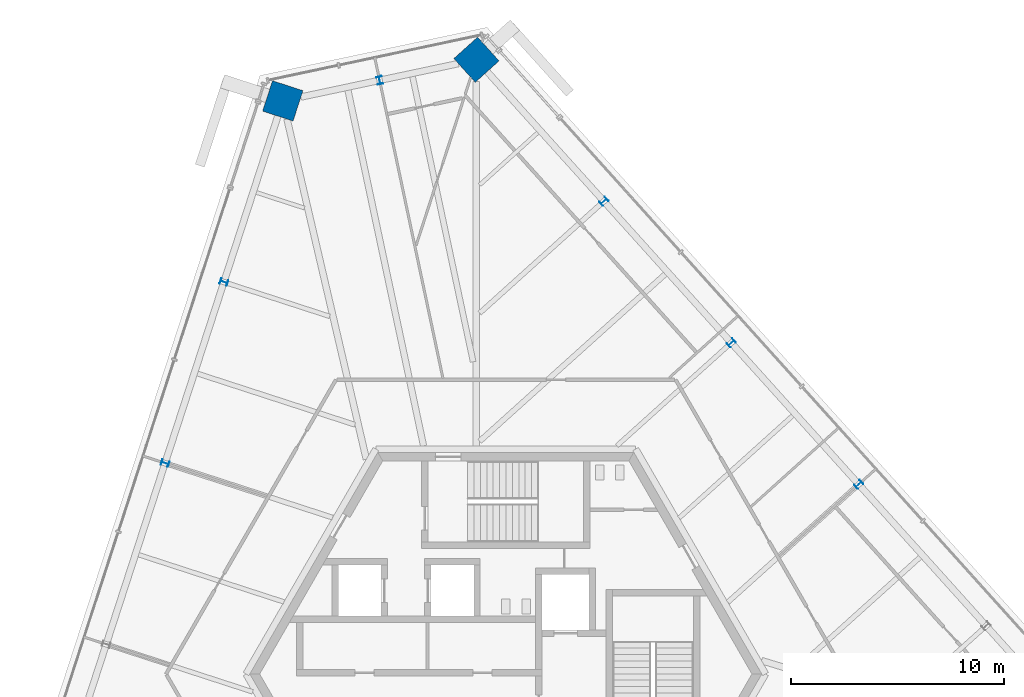
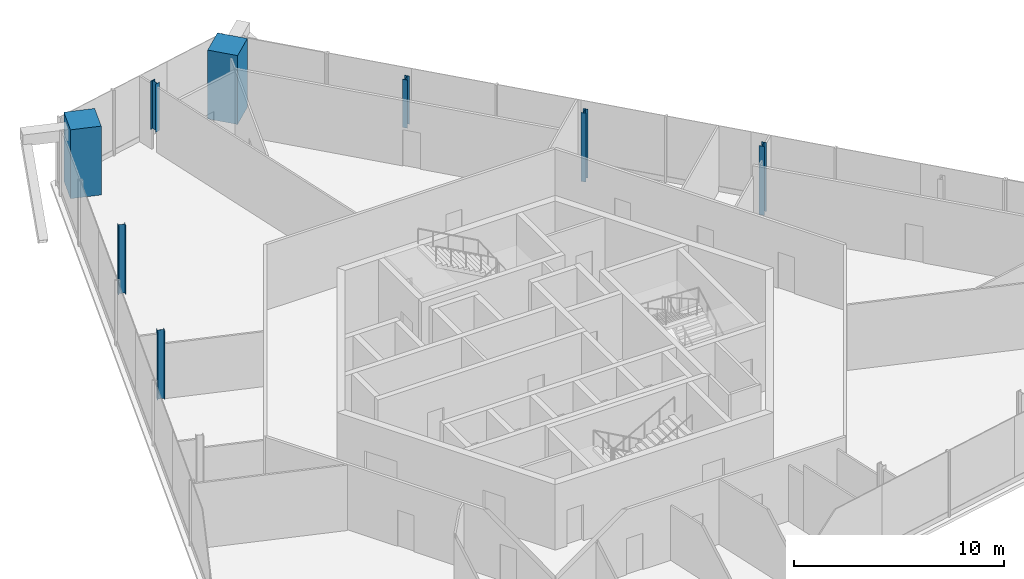
# One storey, part 3 of 16: 8 columns.
"""IFC4 building model written with IfcOpenShell, lengths in metres."""

from ifc_helpers import new_model, si_unit, direction, frame, origin, origin_2d, place, context, subcontext, project, spatial, rectangle, i_section, extrude, source, transform, mapped, material, material_profile, profile_set, type_object, element, save


model = new_model("IFC4")

# Units and contexts
model_context = context("Model", 3, precision=1e-05, world=origin(), true_north=direction((0.0, 1.0)))
body_context = subcontext(model_context, "Body", "Model", "MODEL_VIEW")
ifc_project = project(units=[si_unit("LENGTHUNIT", "METRE"), si_unit("AREAUNIT", "SQUARE_METRE"), si_unit("VOLUMEUNIT", "CUBIC_METRE"), si_unit("PLANEANGLEUNIT", "RADIAN"), si_unit("MASSUNIT", "GRAM", prefix="KILO")], contexts=[model_context])

# Site, building, storey
site_placement = place(None, origin())
site = spatial("IfcSite", under=ifc_project, at=site_placement, CompositionType="ELEMENT")
building_placement = place(site_placement, origin())
building = spatial("IfcBuilding", under=site, at=building_placement, Name="Triune Harvest Tower", CompositionType="ELEMENT")
storey_placement = place(building_placement, frame((0.0, 0.0, 292.699951171875)))
storey = spatial("IfcBuildingStorey", under=building, at=storey_placement, Name="L77", CompositionType="ELEMENT", Elevation=292.699951171875)

# Columns
ifc_material_1 = material(Name="Concrete 70 MPa", Category="concrete")
ifc_material_profile_1 = material_profile(ifc_material_1, rectangle(XDim=1.5, YDim=1.5, at=origin_2d()), Name="Composite 1500x1500")
ifc_profile_set_1 = profile_set([ifc_material_profile_1], Name="Concrete 70 MPa")
column_type_1 = type_object("IfcColumnType", Name="MC-7 Mega column Composite 1500x1500", PredefinedType="COLUMN", material=ifc_profile_set_1)
shared_shape_1 = source(origin(), body_context, "Body", "SweptSolid", [
    extrude(rectangle(XDim=1.5, YDim=1.5, at=origin_2d()), origin(), (0.0, 0.0, 1.0), 4.0),
])
for number, where, z_axis, x_axis, name in (
    (1, (-1.376708984375, 28.794921875, 0.0), (0.0, 0.0, 1.0), (-0.669130606359, 0.743144825477, 0.0), "col/L77/M5"),
    (2, (-10.4541015625, 26.865478515625, 0.0), (0.0, 0.0, 1.0), (-0.309015334468, -0.95105705563, 0.0), "col/L77/M7"),
):
    element("IfcColumn", number, at=place(storey_placement, frame(where, z_axis=z_axis, x_axis=x_axis)), inside=storey, type_object=column_type_1, Name=name, PredefinedType="COLUMN", context=body_context, shape_type="MappedRepresentation", body=[
        mapped(shared_shape_1, transform((0.0, 0.0, 0.0), scale=1.0)),
    ])
ifc_material_2 = material(Name="Steel ASTM A992 Gr 50", Category="steel")
ifc_material_profile_2 = material_profile(ifc_material_2, i_section(OverallWidth=0.256591796875, OverallDepth=0.360595703125, WebThickness=0.011474609375, FlangeThickness=0.02001953125, at=origin_2d()), Name="W14x74")
ifc_profile_set_2 = profile_set([ifc_material_profile_2], Name="Steel ASTM A992 Gr 50")
column_type_2 = type_object("IfcColumnType", Name="PC-7 Perimeter column W14x74", PredefinedType="COLUMN", material=ifc_profile_set_2)
shared_shape_2 = source(origin(), body_context, "Body", "SweptSolid", [
    extrude(i_section(OverallWidth=0.256591796875, OverallDepth=0.360595703125, WebThickness=0.011474609375, FlangeThickness=0.02001953125, at=origin_2d()), origin(), (0.0, 0.0, 1.0), 4.0),
])
for number, where, z_axis, x_axis, name in (
    (3, (16.545166015625, 8.890380859375, 0.0), (0.0, 0.0, 1.0), (-0.669130606359, 0.743144825477, 0.0), "col/L77/P2"),
    (4, (10.5712890625, 15.525146484375, 0.0), (0.0, 0.0, 1.0), (-0.669130606359, 0.743144825477, 0.0), "col/L77/P3"),
    (5, (-13.212890625, 18.37451171875, 0.0), (0.0, 0.0, 1.0), (-0.309015334468, -0.95105705563, 0.0), "col/L77/P8"),
    (6, (-15.971923828125, 9.88330078125, 0.0), (0.0, 0.0, 1.0), (-0.309015334468, -0.95105705563, 0.0), "col/L77/P9"),
):
    element("IfcColumn", number, at=place(storey_placement, frame(where, z_axis=z_axis, x_axis=x_axis)), inside=storey, type_object=column_type_2, Name=name, PredefinedType="COLUMN", context=body_context, shape_type="MappedRepresentation", body=[
        mapped(shared_shape_2, transform((0.0, 0.0, 0.0), scale=1.0)),
    ])
shared_shape_3 = source(origin(), body_context, "Body", "SweptSolid", [
    extrude(i_section(OverallWidth=0.256591796875, OverallDepth=0.360595703125, WebThickness=0.011474609375, FlangeThickness=0.02001953125, at=origin_2d()), origin(), (0.0, 0.0, 1.0), 2.800048828125),
])
for number, where, z_axis, x_axis, name in (
    (7, (4.59716796875, 22.159912109375, 1.199951171875), (0.0, 0.0, 1.0), (-0.669130606359, 0.743144825477, 0.0), "col/L77/P4"),
    (8, (-5.91552734375, 27.830078125, 1.199951171875), (0.0, 0.0, 1.0), (-0.978147600734, -0.207911690818, 0.0), "col/L77/P6"),
):
    element("IfcColumn", number, at=place(storey_placement, frame(where, z_axis=z_axis, x_axis=x_axis)), inside=storey, type_object=column_type_2, Name=name, PredefinedType="COLUMN", context=body_context, shape_type="MappedRepresentation", body=[
        mapped(shared_shape_3, transform((0.0, 0.0, 0.0), scale=1.0)),
    ])

save(model, "model.ifc")
